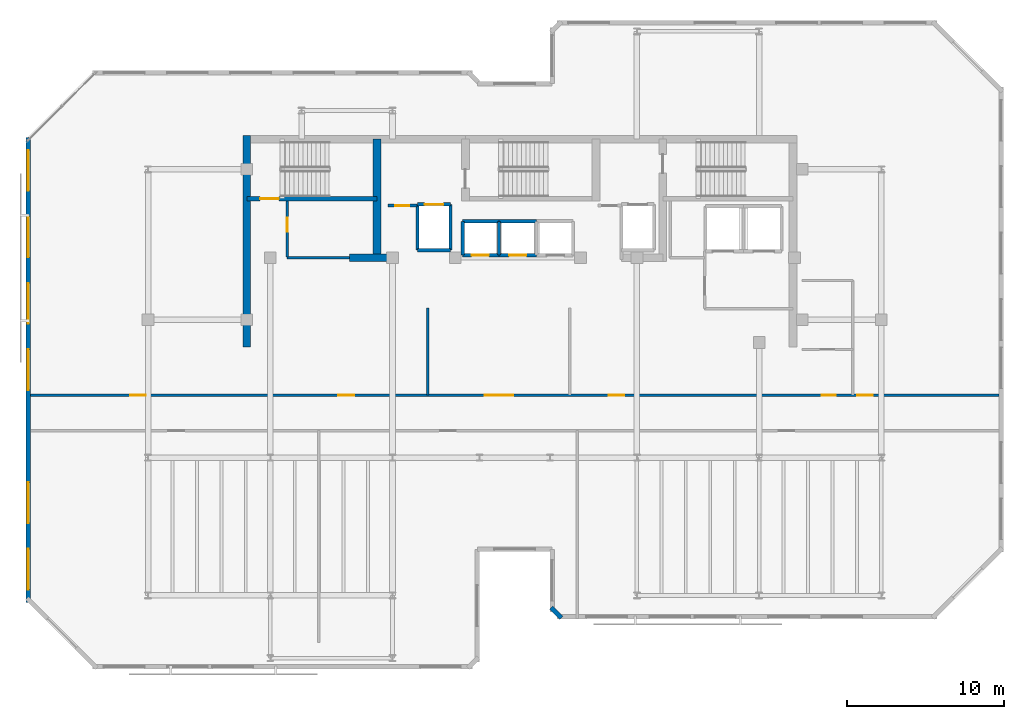
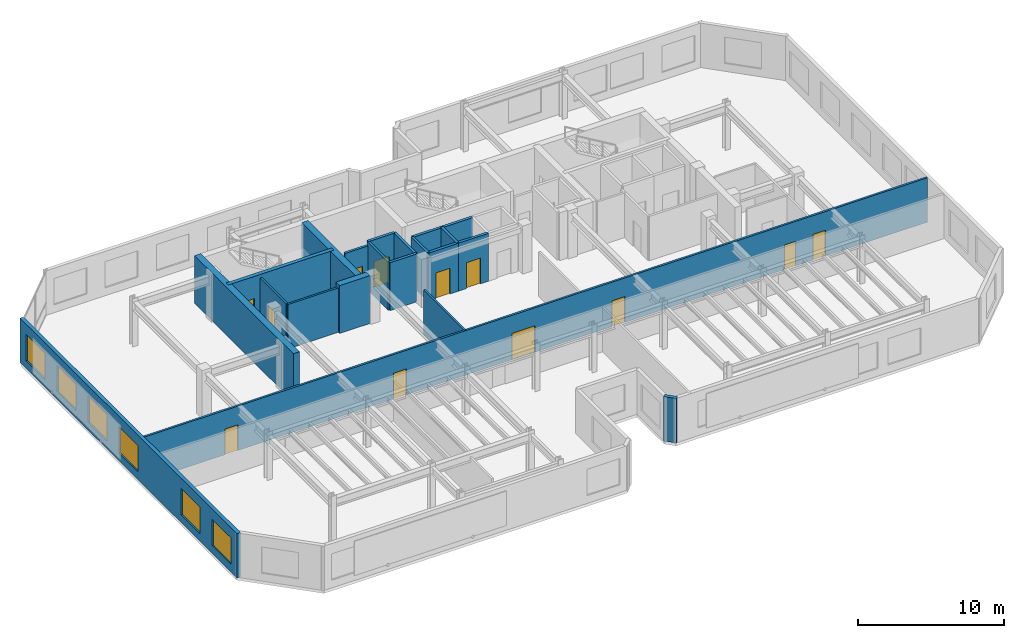
# One storey, part 4 of 9: 21 walls, 12 doors, 6 windows, 18 openings.
"""IFC4 building model written with IfcOpenShell, lengths in metres."""

from ifc_helpers import new_model, si_unit, direction, frame, frame_2d, origin, place, context, subcontext, project, spatial, rectangle, extrude, material, layer, layer_set, type_object, element, fill, save


model = new_model("IFC4")

# Units and contexts
model_context = context("Model", 3, precision=1e-05, world=origin(), true_north=direction((0.0, 1.0)))
body_context = subcontext(model_context, "Body", "Model", "MODEL_VIEW")
ifc_project = project(units=[si_unit("LENGTHUNIT", "METRE"), si_unit("AREAUNIT", "SQUARE_METRE"), si_unit("VOLUMEUNIT", "CUBIC_METRE"), si_unit("PLANEANGLEUNIT", "RADIAN"), si_unit("MASSUNIT", "GRAM", prefix="KILO")], contexts=[model_context])

# Site, building, storey
site_placement = place(None, origin())
site = spatial("IfcSite", under=ifc_project, at=site_placement, CompositionType="ELEMENT")
building_placement = place(site_placement, origin())
building = spatial("IfcBuilding", under=site, at=building_placement, Name="Kestravale Grand Hotel", CompositionType="ELEMENT")
storey_placement = place(building_placement, frame((0.0, 0.0, 293.39990234375)))
storey = spatial("IfcBuildingStorey", under=building, at=storey_placement, Name="L73", CompositionType="ELEMENT", Elevation=293.39990234375)

# Walls
ifc_material_1 = material(Name="Concrete f'c 50 MPa", Category="concrete")
ifc_layer_1 = layer(ifc_material_1, 0.5)
ifc_layer_set_1 = layer_set([ifc_layer_1], Name="EW-CORE-500")
wall_type_1 = type_object("IfcWallType", Name="EW-CORE-500", PredefinedType="SHEAR", material=ifc_layer_set_1)
wall_1_placement = place(storey_placement, frame((21.89990234375, 27.050048828125, 0.0), z_axis=(0.0, 0.0, 1.0), x_axis=(0.0, 1.0, 0.0)))
element("IfcWall", 1, at=wall_1_placement, inside=storey, type_object=wall_type_1, Name="L73 core shear wall W1", PredefinedType="SHEAR", context=body_context, shape_type="SweptSolid", body=[
    extrude(rectangle(XDim=13.52001953125, YDim=0.5, at=frame_2d((6.760009765625, 0.0))), origin(), (0.0, 0.0, 1.0), 4.0),
])
wall_2_placement = place(storey_placement, frame((28.449951171875, 32.75, 0.0), z_axis=(0.0, 0.0, 1.0), x_axis=(1.0, 0.0, 0.0)))
element("IfcWall", 2, at=wall_2_placement, inside=storey, type_object=wall_type_1, Name="L73 core shear wall S1", PredefinedType="SHEAR", context=body_context, shape_type="SweptSolid", body=[
    extrude(rectangle(XDim=2.400146484375, YDim=0.5, at=frame_2d((1.2001953125, 0.0))), origin(), (0.0, 0.0, 1.0), 4.0),
])
wall_3_placement = place(storey_placement, frame((30.219970703125, 33.0, 0.0), z_axis=(0.0, 0.0, 1.0), x_axis=(0.0, 1.0, 0.0)))
element("IfcWall", 3, at=wall_3_placement, inside=storey, type_object=wall_type_1, Name="L73 core shear wall X1", PredefinedType="SHEAR", context=body_context, shape_type="SweptSolid", body=[
    extrude(rectangle(XDim=7.320068359375, YDim=0.5, at=frame_2d((3.66015625, 0.0))), origin(), (0.0, 0.0, 1.0), 4.0),
])
ifc_material_2 = material(Name="Precast concrete f'c 45 MPa", Category="concrete")
ifc_layer_2 = layer(ifc_material_2, 0.280029296875)
ifc_layer_set_2 = layer_set([ifc_layer_2], Name="EW-PREC-280")
wall_type_2 = type_object("IfcWallType", Name="EW-PREC-280", PredefinedType="SOLIDWALL", material=ifc_layer_set_2)
wall_4_placement = place(storey_placement, frame((41.32080078125, 10.42724609375, 0.0), z_axis=(0.0, 0.0, 1.0), x_axis=(0.707106781187, -0.707106781187, 0.0)))
element("IfcWall", 4, at=wall_4_placement, inside=storey, type_object=wall_type_2, Name="L73 fluted precast facade wall 6", PredefinedType="SOLIDWALL", context=body_context, shape_type="SweptSolid", body=[
    extrude(rectangle(XDim=0.928466796875, YDim=0.280029296875, at=frame_2d((0.46435546875, 0.0))), origin(), (0.0, 0.0, 1.0), 3.710205078125),
])

# Wall, openings, windows
wall_5_placement = place(storey_placement, frame((7.93994140625, 40.43994140625, 0.0), z_axis=(0.0, 0.0, 1.0), x_axis=(0.0, -1.0, 0.0)))
wall_5 = element("IfcWall", 5, at=wall_5_placement, inside=storey, type_object=wall_type_2, Name="L73 fluted precast facade wall 19", PredefinedType="SOLIDWALL", context=body_context, shape_type="SweptSolid", body=[
    extrude(rectangle(XDim=29.679931640625, YDim=0.280029296875, at=frame_2d((14.83984375, 0.0))), origin(), (0.0, 0.0, 1.0), 3.710205078125),
])
opening_1_placement = place(wall_5_placement, frame((0.820068359375, 0.0, 0.64990234375)))
opening_1 = element("IfcOpeningElement", 6, at=opening_1_placement, cuts=wall_5, Name="Opening W-SKY-2600", PredefinedType="OPENING", context=body_context, shape_type="SweptSolid", body=[
    extrude(rectangle(XDim=2.60009765625, YDim=2.199951171875, at=frame_2d((1.300048828125, 1.10009765625))), frame((0.0, 0.14990234375, 0.0), z_axis=(0.0, -1.0, 0.0), x_axis=(1.0, 0.0, 0.0)), (0.0, 0.0, 1.0), 0.300048828125),
])
opening_2_placement = place(wall_5_placement, frame((5.06005859375, 0.0, 0.64990234375)))
opening_2 = element("IfcOpeningElement", 7, at=opening_2_placement, cuts=wall_5, Name="Opening W-SKY-2600", PredefinedType="OPENING", context=body_context, shape_type="SweptSolid", body=[
    extrude(rectangle(XDim=2.60009765625, YDim=2.199951171875, at=frame_2d((1.300048828125, 1.10009765625))), frame((0.0, 0.14990234375, 0.0), z_axis=(0.0, -1.0, 0.0), x_axis=(1.0, 0.0, 0.0)), (0.0, 0.0, 1.0), 0.300048828125),
])
opening_3_placement = place(wall_5_placement, frame((9.300048828125, 0.0, 0.64990234375)))
opening_3 = element("IfcOpeningElement", 8, at=opening_3_placement, cuts=wall_5, Name="Opening W-SKY-2600", PredefinedType="OPENING", context=body_context, shape_type="SweptSolid", body=[
    extrude(rectangle(XDim=2.60009765625, YDim=2.199951171875, at=frame_2d((1.300048828125, 1.10009765625))), frame((0.0, 0.14990234375, 0.0), z_axis=(0.0, -1.0, 0.0), x_axis=(1.0, 0.0, 0.0)), (0.0, 0.0, 1.0), 0.300048828125),
])
opening_4_placement = place(wall_5_placement, frame((13.5400390625, 0.0, 0.64990234375)))
opening_4 = element("IfcOpeningElement", 9, at=opening_4_placement, cuts=wall_5, Name="Opening W-SKY-2600", PredefinedType="OPENING", context=body_context, shape_type="SweptSolid", body=[
    extrude(rectangle(XDim=2.60009765625, YDim=2.199951171875, at=frame_2d((1.300048828125, 1.10009765625))), frame((0.0, 0.14990234375, 0.0), z_axis=(0.0, -1.0, 0.0), x_axis=(1.0, 0.0, 0.0)), (0.0, 0.0, 1.0), 0.300048828125),
])
opening_5_placement = place(wall_5_placement, frame((22.02001953125, 0.0, 0.64990234375)))
opening_5 = element("IfcOpeningElement", 10, at=opening_5_placement, cuts=wall_5, Name="Opening W-SKY-2600", PredefinedType="OPENING", context=body_context, shape_type="SweptSolid", body=[
    extrude(rectangle(XDim=2.60009765625, YDim=2.199951171875, at=frame_2d((1.300048828125, 1.10009765625))), frame((0.0, 0.14990234375, 0.0), z_axis=(0.0, -1.0, 0.0), x_axis=(1.0, 0.0, 0.0)), (0.0, 0.0, 1.0), 0.300048828125),
])
opening_6_placement = place(wall_5_placement, frame((26.260009765625, 0.0, 0.64990234375)))
opening_6 = element("IfcOpeningElement", 11, at=opening_6_placement, cuts=wall_5, Name="Opening W-SKY-2600", PredefinedType="OPENING", context=body_context, shape_type="SweptSolid", body=[
    extrude(rectangle(XDim=2.60009765625, YDim=2.199951171875, at=frame_2d((1.300048828125, 1.10009765625))), frame((0.0, 0.14990234375, 0.0), z_axis=(0.0, -1.0, 0.0), x_axis=(1.0, 0.0, 0.0)), (0.0, 0.0, 1.0), 0.300048828125),
])
ifc_material_3 = material(Name="Insulated low-E double glazing in aluminium frame", Category="aluminium")
window_type = type_object("IfcWindowType", Name="W-SKY-2600", PartitioningType="TRIPLE_PANEL_VERTICAL", PredefinedType="WINDOW", material=ifc_material_3)
window_1_placement = place(opening_1_placement, origin())
window_1 = element("IfcWindow", 12, at=window_1_placement, inside=storey, type_object=window_type, Name="L73 exterior window 19.1", OverallHeight=2.199951171875, OverallWidth=2.60009765625, PartitioningType="SINGLE_PANEL", PredefinedType="WINDOW", context=body_context, shape_type="SweptSolid", body=[
    extrude(rectangle(XDim=2.60009765625, YDim=2.199951171875, at=frame_2d((1.300048828125, 1.10009765625))), frame((0.0, 0.030029296875, 0.0), z_axis=(0.0, -1.0, 0.0), x_axis=(1.0, 0.0, 0.0)), (0.0, 0.0, 1.0), 0.06005859375),
])
fill(opening_1, window_1)
window_2_placement = place(opening_2_placement, origin())
window_2 = element("IfcWindow", 13, at=window_2_placement, inside=storey, type_object=window_type, Name="L73 exterior window 19.2", OverallHeight=2.199951171875, OverallWidth=2.60009765625, PartitioningType="SINGLE_PANEL", PredefinedType="WINDOW", context=body_context, shape_type="SweptSolid", body=[
    extrude(rectangle(XDim=2.60009765625, YDim=2.199951171875, at=frame_2d((1.300048828125, 1.10009765625))), frame((0.0, 0.030029296875, 0.0), z_axis=(0.0, -1.0, 0.0), x_axis=(1.0, 0.0, 0.0)), (0.0, 0.0, 1.0), 0.06005859375),
])
fill(opening_2, window_2)
window_3_placement = place(opening_3_placement, origin())
window_3 = element("IfcWindow", 14, at=window_3_placement, inside=storey, type_object=window_type, Name="L73 exterior window 19.3", OverallHeight=2.199951171875, OverallWidth=2.60009765625, PartitioningType="SINGLE_PANEL", PredefinedType="WINDOW", context=body_context, shape_type="SweptSolid", body=[
    extrude(rectangle(XDim=2.60009765625, YDim=2.199951171875, at=frame_2d((1.300048828125, 1.10009765625))), frame((0.0, 0.030029296875, 0.0), z_axis=(0.0, -1.0, 0.0), x_axis=(1.0, 0.0, 0.0)), (0.0, 0.0, 1.0), 0.06005859375),
])
fill(opening_3, window_3)
window_4_placement = place(opening_4_placement, origin())
window_4 = element("IfcWindow", 15, at=window_4_placement, inside=storey, type_object=window_type, Name="L73 exterior window 19.4", OverallHeight=2.199951171875, OverallWidth=2.60009765625, PartitioningType="SINGLE_PANEL", PredefinedType="WINDOW", context=body_context, shape_type="SweptSolid", body=[
    extrude(rectangle(XDim=2.60009765625, YDim=2.199951171875, at=frame_2d((1.300048828125, 1.10009765625))), frame((0.0, 0.030029296875, 0.0), z_axis=(0.0, -1.0, 0.0), x_axis=(1.0, 0.0, 0.0)), (0.0, 0.0, 1.0), 0.06005859375),
])
fill(opening_4, window_4)
window_5_placement = place(opening_5_placement, origin())
window_5 = element("IfcWindow", 16, at=window_5_placement, inside=storey, type_object=window_type, Name="L73 exterior window 19.5", OverallHeight=2.199951171875, OverallWidth=2.60009765625, PartitioningType="SINGLE_PANEL", PredefinedType="WINDOW", context=body_context, shape_type="SweptSolid", body=[
    extrude(rectangle(XDim=2.60009765625, YDim=2.199951171875, at=frame_2d((1.300048828125, 1.10009765625))), frame((0.0, 0.030029296875, 0.0), z_axis=(0.0, -1.0, 0.0), x_axis=(1.0, 0.0, 0.0)), (0.0, 0.0, 1.0), 0.06005859375),
])
fill(opening_5, window_5)
window_6_placement = place(opening_6_placement, origin())
window_6 = element("IfcWindow", 17, at=window_6_placement, inside=storey, type_object=window_type, Name="L73 exterior window 19.6", OverallHeight=2.199951171875, OverallWidth=2.60009765625, PartitioningType="SINGLE_PANEL", PredefinedType="WINDOW", context=body_context, shape_type="SweptSolid", body=[
    extrude(rectangle(XDim=2.60009765625, YDim=2.199951171875, at=frame_2d((1.300048828125, 1.10009765625))), frame((0.0, 0.030029296875, 0.0), z_axis=(0.0, -1.0, 0.0), x_axis=(1.0, 0.0, 0.0)), (0.0, 0.0, 1.0), 0.06005859375),
])
fill(opening_6, window_6)

# Wall, opening, door
ifc_material_4 = material(Name="Concrete f'c 45 MPa", Category="concrete")
ifc_layer_3 = layer(ifc_material_4, 0.300048828125)
ifc_layer_set_3 = layer_set([ifc_layer_3], Name="EW-STAIR-300")
wall_type_3 = type_object("IfcWallType", Name="EW-STAIR-300", PredefinedType="SHEAR", material=ifc_layer_set_3)
wall_6_placement = place(storey_placement, frame((21.89990234375, 36.52001953125, 0.0), z_axis=(0.0, 0.0, 1.0), x_axis=(1.0, 0.0, 0.0)))
wall_6 = element("IfcWall", 18, at=wall_6_placement, inside=storey, type_object=wall_type_3, Name="L73 stair enclosure shear wall SST1", PredefinedType="SHEAR", context=body_context, shape_type="SweptSolid", body=[
    extrude(rectangle(XDim=8.320068359375, YDim=0.300048828125, at=frame_2d((4.16015625, 0.0))), origin(), (0.0, 0.0, 1.0), 4.0),
])
opening_7_placement = place(wall_6_placement, frame((0.85009765625, 0.0, 0.0)))
opening_7 = element("IfcOpeningElement", 19, at=opening_7_placement, cuts=wall_6, Name="Opening D-ST-1200", PredefinedType="OPENING", context=body_context, shape_type="SweptSolid", body=[
    extrude(rectangle(XDim=1.199951171875, YDim=2.14990234375, at=frame_2d((0.60009765625, 1.074951171875))), frame((0.0, 0.159912109375, 0.0), z_axis=(0.0, -1.0, 0.0), x_axis=(1.0, 0.0, 0.0)), (0.0, 0.0, 1.0), 0.320068359375),
])
ifc_material_5 = material(Name="Galvanised 90-minute fire-rated steel stair door, wide leaf", Category="steel")
door_type_1 = type_object("IfcDoorType", Name="D-ST-1200", OperationType="NOTDEFINED", PredefinedType="DOOR", material=ifc_material_5)
door_1_placement = place(opening_7_placement, origin())
door_1 = element("IfcDoor", 20, at=door_1_placement, inside=storey, type_object=door_type_1, Name="L73 Stair ST-1 fire door", OperationType="SINGLE_SWING_RIGHT", OverallHeight=2.14990234375, OverallWidth=1.199951171875, PredefinedType="DOOR", context=body_context, shape_type="SweptSolid", body=[
    extrude(rectangle(XDim=1.199951171875, YDim=2.14990234375, at=frame_2d((0.60009765625, 1.074951171875))), frame((0.0, 0.02490234375, 0.0), z_axis=(0.0, -1.0, 0.0), x_axis=(1.0, 0.0, 0.0)), (0.0, 0.0, 1.0), 0.050048828125),
])
fill(opening_7, door_1)

ifc_material_6 = material(Name="Acoustic fire-rated gypsum board partition", Category="other")
ifc_layer_4 = layer(ifc_material_6, 0.159912109375)
ifc_layer_set_4 = layer_set([ifc_layer_4], Name="IW-CORR-160")
wall_type_4 = type_object("IfcWallType", Name="IW-CORR-160", PredefinedType="PARTITIONING", material=ifc_layer_set_4)
wall_7_placement = place(storey_placement, frame((24.47998046875, 32.800048828125, 0.0), z_axis=(0.0, 0.0, 1.0), x_axis=(0.0, 1.0, 0.0)))
wall_7 = element("IfcWall", 21, at=wall_7_placement, inside=storey, type_object=wall_type_4, Name="L73 west core vestibule wall", PredefinedType="PARTITIONING", context=body_context, shape_type="SweptSolid", body=[
    extrude(rectangle(XDim=3.570068359375, YDim=0.159912109375, at=frame_2d((1.78515625, 0.0))), origin(), (0.0, 0.0, 1.0), 3.710205078125),
])
opening_8_placement = place(wall_7_placement, frame((1.603515625, 0.0, 0.0)))
opening_8 = element("IfcOpeningElement", 22, at=opening_8_placement, cuts=wall_7, Name="Opening D-SH-900", PredefinedType="OPENING", context=body_context, shape_type="SweptSolid", body=[
    extrude(rectangle(XDim=0.89990234375, YDim=2.10009765625, at=frame_2d((0.449951171875, 1.050048828125))), frame((0.0, 0.08984375, 0.0), z_axis=(0.0, -1.0, 0.0), x_axis=(1.0, 0.0, 0.0)), (0.0, 0.0, 1.0), 0.179931640625),
])
ifc_material_7 = material(Name="Galvanised 90-minute shaft and service fire door", Category="steel")
door_type_2 = type_object("IfcDoorType", Name="D-SH-900", OperationType="NOTDEFINED", PredefinedType="DOOR", material=ifc_material_7)
door_2_placement = place(opening_8_placement, origin())
door_2 = element("IfcDoor", 23, at=door_2_placement, inside=storey, type_object=door_type_2, Name="D-L73-HK", OperationType="SINGLE_SWING_RIGHT", OverallHeight=2.10009765625, OverallWidth=0.89990234375, PredefinedType="DOOR", context=body_context, shape_type="SweptSolid", body=[
    extrude(rectangle(XDim=0.89990234375, YDim=2.10009765625, at=frame_2d((0.449951171875, 1.050048828125))), frame((0.0, 0.02490234375, 0.0), z_axis=(0.0, -1.0, 0.0), x_axis=(1.0, 0.0, 0.0)), (0.0, 0.0, 1.0), 0.050048828125),
])
fill(opening_8, door_2)

# Wall
wall_8_placement = place(storey_placement, frame((24.47998046875, 32.75, 0.0), z_axis=(0.0, 0.0, 1.0), x_axis=(1.0, 0.0, 0.0)))
element("IfcWall", 24, at=wall_8_placement, inside=storey, type_object=wall_type_4, Name="W-L73-CWS", PredefinedType="PARTITIONING", context=body_context, shape_type="SweptSolid", body=[
    extrude(rectangle(XDim=3.969970703125, YDim=0.159912109375, at=frame_2d((1.98486328125, 0.0))), origin(), (0.0, 0.0, 1.0), 3.710205078125),
])

# Wall, openings, doors
wall_9_placement = place(storey_placement, frame((8.10009765625, 23.97998046875, 0.0), z_axis=(0.0, 0.0, 1.0), x_axis=(1.0, 0.0, 0.0)))
wall_9 = element("IfcWall", 25, at=wall_9_placement, inside=storey, type_object=wall_type_4, Name="W-L73-SC-N", PredefinedType="PARTITIONING", context=body_context, shape_type="SweptSolid", body=[
    extrude(rectangle(XDim=61.7998046875, YDim=0.159912109375, at=frame_2d((30.89990234375, 0.0))), origin(), (0.0, 0.0, 1.0), 3.710205078125),
])
opening_9_placement = place(wall_9_placement, frame((29.0, 0.0, 0.0)))
opening_9 = element("IfcOpeningElement", 26, at=opening_9_placement, cuts=wall_9, Name="Opening D-CORR-1800", PredefinedType="OPENING", context=body_context, shape_type="SweptSolid", body=[
    extrude(rectangle(XDim=1.800048828125, YDim=2.199951171875, at=frame_2d((0.89990234375, 1.10009765625))), frame((0.0, 0.08984375, 0.0), z_axis=(0.0, -1.0, 0.0), x_axis=(1.0, 0.0, 0.0)), (0.0, 0.0, 1.0), 0.179931640625),
])
opening_10_placement = place(wall_9_placement, frame((19.64990234375, 0.0, 0.0)))
opening_10 = element("IfcOpeningElement", 27, at=opening_10_placement, cuts=wall_9, Name="Opening D-GUEST-1000", PredefinedType="OPENING", context=body_context, shape_type="SweptSolid", body=[
    extrude(rectangle(XDim=1.0, YDim=2.14990234375, at=frame_2d((0.5, 1.074951171875))), frame((0.0, 0.08984375, 0.0), z_axis=(0.0, -1.0, 0.0), x_axis=(1.0, 0.0, 0.0)), (0.0, 0.0, 1.0), 0.179931640625),
])
opening_11_placement = place(wall_9_placement, frame((36.89990234375, 0.0, 0.0)))
opening_11 = element("IfcOpeningElement", 28, at=opening_11_placement, cuts=wall_9, Name="Opening D-GUEST-1000", PredefinedType="OPENING", context=body_context, shape_type="SweptSolid", body=[
    extrude(rectangle(XDim=1.0, YDim=2.14990234375, at=frame_2d((0.5, 1.074951171875))), frame((0.0, 0.08984375, 0.0), z_axis=(0.0, -1.0, 0.0), x_axis=(1.0, 0.0, 0.0)), (0.0, 0.0, 1.0), 0.179931640625),
])
opening_12_placement = place(wall_9_placement, frame((6.35009765625, 0.0, 0.0)))
opening_12 = element("IfcOpeningElement", 29, at=opening_12_placement, cuts=wall_9, Name="Opening D-GUEST-1000", PredefinedType="OPENING", context=body_context, shape_type="SweptSolid", body=[
    extrude(rectangle(XDim=1.0, YDim=2.14990234375, at=frame_2d((0.5, 1.074951171875))), frame((0.0, 0.08984375, 0.0), z_axis=(0.0, -1.0, 0.0), x_axis=(1.0, 0.0, 0.0)), (0.0, 0.0, 1.0), 0.179931640625),
])
opening_13_placement = place(wall_9_placement, frame((50.510009765625, 0.0, 0.0)))
opening_13 = element("IfcOpeningElement", 30, at=opening_13_placement, cuts=wall_9, Name="Opening D-BATH-880", PredefinedType="OPENING", context=body_context, shape_type="SweptSolid", body=[
    extrude(rectangle(XDim=0.8798828125, YDim=2.050048828125, at=frame_2d((0.43994140625, 1.02490234375))), frame((0.0, 0.08984375, 0.0), z_axis=(0.0, -1.0, 0.0), x_axis=(1.0, 0.0, 0.0)), (0.0, 0.0, 1.0), 0.179931640625),
])
opening_14_placement = place(wall_9_placement, frame((52.75, 0.0, 0.0)))
opening_14 = element("IfcOpeningElement", 31, at=opening_14_placement, cuts=wall_9, Name="Opening D-GUEST-1000", PredefinedType="OPENING", context=body_context, shape_type="SweptSolid", body=[
    extrude(rectangle(XDim=1.0, YDim=2.14990234375, at=frame_2d((0.5, 1.074951171875))), frame((0.0, 0.08984375, 0.0), z_axis=(0.0, -1.0, 0.0), x_axis=(1.0, 0.0, 0.0)), (0.0, 0.0, 1.0), 0.179931640625),
])
ifc_material_8 = material(Name="Moisture-sealed walnut en-suite bathroom door", Category="wood")
door_type_3 = type_object("IfcDoorType", Name="D-BATH-880", OperationType="NOTDEFINED", PredefinedType="DOOR", material=ifc_material_8)
door_3_placement = place(opening_13_placement, origin())
door_3 = element("IfcDoor", 32, at=door_3_placement, inside=storey, type_object=door_type_3, Name="D-L73-WCA", OperationType="SINGLE_SWING_LEFT", OverallHeight=2.050048828125, OverallWidth=0.8798828125, PredefinedType="DOOR", context=body_context, shape_type="SweptSolid", body=[
    extrude(rectangle(XDim=0.8798828125, YDim=2.050048828125, at=frame_2d((0.43994140625, 1.02490234375))), frame((0.0, 0.02490234375, 0.0), z_axis=(0.0, -1.0, 0.0), x_axis=(1.0, 0.0, 0.0)), (0.0, 0.0, 1.0), 0.050048828125),
])
fill(opening_13, door_3)
ifc_material_9 = material(Name="Double-leaf glazed bronze acoustic corridor fire door", Category="aluminium")
door_type_4 = type_object("IfcDoorType", Name="D-CORR-1800", OperationType="NOTDEFINED", PredefinedType="DOOR", material=ifc_material_9)
door_4_placement = place(opening_9_placement, origin())
door_4 = element("IfcDoor", 33, at=door_4_placement, inside=storey, type_object=door_type_4, Name="D-L73-LCONN", OperationType="DOUBLE_DOOR_SINGLE_SWING", OverallHeight=2.199951171875, OverallWidth=1.800048828125, PredefinedType="DOOR", context=body_context, shape_type="SweptSolid", body=[
    extrude(rectangle(XDim=1.800048828125, YDim=2.199951171875, at=frame_2d((0.89990234375, 1.10009765625))), frame((0.0, 0.02490234375, 0.0), z_axis=(0.0, -1.0, 0.0), x_axis=(1.0, 0.0, 0.0)), (0.0, 0.0, 1.0), 0.050048828125),
])
fill(opening_9, door_4)
ifc_material_10 = material(Name="Accessible walnut veneer hotel entrance fire door", Category="wood")
door_type_5 = type_object("IfcDoorType", Name="D-GUEST-1000", OperationType="NOTDEFINED", PredefinedType="DOOR", material=ifc_material_10)
door_5_placement = place(opening_10_placement, origin())
door_5 = element("IfcDoor", 34, at=door_5_placement, inside=storey, type_object=door_type_5, Name="D-L73-RECL-W", OperationType="SINGLE_SWING_LEFT", OverallHeight=2.14990234375, OverallWidth=1.0, PredefinedType="DOOR", context=body_context, shape_type="SweptSolid", body=[
    extrude(rectangle(XDim=1.0, YDim=2.14990234375, at=frame_2d((0.5, 1.074951171875))), frame((0.0, 0.02490234375, 0.0), z_axis=(0.0, -1.0, 0.0), x_axis=(1.0, 0.0, 0.0)), (0.0, 0.0, 1.0), 0.050048828125),
])
fill(opening_10, door_5)
door_6_placement = place(opening_11_placement, origin())
door_6 = element("IfcDoor", 35, at=door_6_placement, inside=storey, type_object=door_type_5, Name="D-L73-RECL-E", OperationType="SINGLE_SWING_RIGHT", OverallHeight=2.14990234375, OverallWidth=1.0, PredefinedType="DOOR", context=body_context, shape_type="SweptSolid", body=[
    extrude(rectangle(XDim=1.0, YDim=2.14990234375, at=frame_2d((0.5, 1.074951171875))), frame((0.0, 0.02490234375, 0.0), z_axis=(0.0, -1.0, 0.0), x_axis=(1.0, 0.0, 0.0)), (0.0, 0.0, 1.0), 0.050048828125),
])
fill(opening_11, door_6)
door_7_placement = place(opening_12_placement, origin())
door_7 = element("IfcDoor", 36, at=door_7_placement, inside=storey, type_object=door_type_5, Name="D-L73-NW", OperationType="SINGLE_SWING_RIGHT", OverallHeight=2.14990234375, OverallWidth=1.0, PredefinedType="DOOR", context=body_context, shape_type="SweptSolid", body=[
    extrude(rectangle(XDim=1.0, YDim=2.14990234375, at=frame_2d((0.5, 1.074951171875))), frame((0.0, 0.02490234375, 0.0), z_axis=(0.0, -1.0, 0.0), x_axis=(1.0, 0.0, 0.0)), (0.0, 0.0, 1.0), 0.050048828125),
])
fill(opening_12, door_7)
door_8_placement = place(opening_14_placement, origin())
door_8 = element("IfcDoor", 37, at=door_8_placement, inside=storey, type_object=door_type_5, Name="L73 NE Gallery Door", OperationType="SINGLE_SWING_LEFT", OverallHeight=2.14990234375, OverallWidth=1.0, PredefinedType="DOOR", context=body_context, shape_type="SweptSolid", body=[
    extrude(rectangle(XDim=1.0, YDim=2.14990234375, at=frame_2d((0.5, 1.074951171875))), frame((0.0, 0.02490234375, 0.0), z_axis=(0.0, -1.0, 0.0), x_axis=(1.0, 0.0, 0.0)), (0.0, 0.0, 1.0), 0.050048828125),
])
fill(opening_14, door_8)

# Wall, opening, door
ifc_material_11 = material(Name="Fire-rated gypsum board on steel studs with mineral wool", Category="steel")
ifc_layer_5 = layer(ifc_material_11, 0.179931640625)
ifc_layer_set_5 = layer_set([ifc_layer_5], Name="IW-FSAE-180")
wall_type_5 = type_object("IfcWallType", Name="IW-FSAE-180", PredefinedType="PARTITIONING", material=ifc_layer_set_5)
wall_10_placement = place(storey_placement, frame((30.89990234375, 36.080078125, 0.0), z_axis=(0.0, 0.0, 1.0), x_axis=(1.0, 0.0, 0.0)))
wall_10 = element("IfcWall", 38, at=wall_10_placement, inside=storey, type_object=wall_type_5, Name="L73 FSAE Lobby 1 smoke barrier", PredefinedType="PARTITIONING", context=body_context, shape_type="SweptSolid", body=[
    extrude(rectangle(XDim=1.85009765625, YDim=0.179931640625, at=frame_2d((0.925048828125, 0.0))), origin(), (0.0, 0.0, 1.0), 3.710205078125),
])
opening_15_placement = place(wall_10_placement, frame((0.47998046875, 0.0, 0.0)))
opening_15 = element("IfcOpeningElement", 39, at=opening_15_placement, cuts=wall_10, Name="Opening D-FSAE-1000", PredefinedType="OPENING", context=body_context, shape_type="SweptSolid", body=[
    extrude(rectangle(XDim=0.89990234375, YDim=2.14990234375, at=frame_2d((0.449951171875, 1.074951171875))), frame((0.0, 0.099853515625, 0.0), z_axis=(0.0, -1.0, 0.0), x_axis=(1.0, 0.0, 0.0)), (0.0, 0.0, 1.0), 0.199951171875),
])
ifc_material_12 = material(Name="Smoke-gasketed FSAE lobby fire door", Category="steel")
door_type_6 = type_object("IfcDoorType", Name="D-FSAE-1000", OperationType="NOTDEFINED", PredefinedType="DOOR", material=ifc_material_12)
door_9_placement = place(opening_15_placement, origin())
door_9 = element("IfcDoor", 40, at=door_9_placement, inside=storey, type_object=door_type_6, Name="L73 FSAE Lobby 1 fire door", OperationType="SINGLE_SWING_RIGHT", OverallHeight=2.14990234375, OverallWidth=0.89990234375, PredefinedType="DOOR", context=body_context, shape_type="SweptSolid", body=[
    extrude(rectangle(XDim=0.89990234375, YDim=2.14990234375, at=frame_2d((0.449951171875, 1.074951171875))), frame((0.0, 0.02490234375, 0.0), z_axis=(0.0, -1.0, 0.0), x_axis=(1.0, 0.0, 0.0)), (0.0, 0.0, 1.0), 0.050048828125),
])
fill(opening_15, door_9)

# Walls
ifc_material_13 = material(Name="Concrete f'c 45 MPa", Category="concrete")
ifc_layer_6 = layer(ifc_material_13, 0.199951171875)
ifc_layer_set_6 = layer_set([ifc_layer_6], Name="IW-SHAFT-200")
wall_type_6 = type_object("IfcWallType", Name="IW-SHAFT-200", PredefinedType="SHEAR", material=ifc_layer_set_6)
for number, where, z_axis, x_axis, name in (
    (41, (35.679931640625, 32.919921875, 0.0), (0.0, 0.0, 1.0), (0.0, 1.0, 0.0), "L73 PL-X1 west shaft wall"),
    (42, (38.0, 32.919921875, 0.0), (0.0, 0.0, 1.0), (0.0, 1.0, 0.0), "L73 PL-X2 west shaft wall"),
):
    element("IfcWall", number, at=place(storey_placement, frame(where, z_axis=z_axis, x_axis=x_axis)), inside=storey, type_object=wall_type_6, Name=name, PredefinedType="SHEAR", context=body_context, shape_type="SweptSolid", body=[
        extrude(rectangle(XDim=2.16015625, YDim=0.199951171875, at=frame_2d((1.080078125, 0.0))), origin(), (0.0, 0.0, 1.0), 4.0),
    ])
for number, where, z_axis, x_axis, name in (
    (43, (32.804931640625, 33.2451171875, 0.0), (0.0, 0.0, 1.0), (0.0, 1.0, 0.0), "L73 FL-1 west shaft wall"),
    (44, (34.89501953125, 33.2451171875, 0.0), (0.0, 0.0, 1.0), (0.0, 1.0, 0.0), "L73 FL-1 east shaft wall"),
):
    element("IfcWall", number, at=place(storey_placement, frame(where, z_axis=z_axis, x_axis=x_axis)), inside=storey, type_object=wall_type_6, Name=name, PredefinedType="SHEAR", context=body_context, shape_type="SweptSolid", body=[
        extrude(rectangle(XDim=2.909912109375, YDim=0.199951171875, at=frame_2d((1.455078125, 0.0))), origin(), (0.0, 0.0, 1.0), 4.0),
    ])
ifc_material_14 = material(Name="Concrete f'c 45 MPa", Category="concrete")
ifc_layer_7 = layer(ifc_material_14, 0.219970703125)
ifc_layer_set_7 = layer_set([ifc_layer_7], Name="IW-SHAFT-220")
wall_type_7 = type_object("IfcWallType", Name="IW-SHAFT-220", PredefinedType="SHEAR", material=ifc_layer_set_7)
wall_11_placement = place(storey_placement, frame((35.679931640625, 35.080078125, 0.0), z_axis=(0.0, 0.0, 1.0), x_axis=(1.0, 0.0, 0.0)))
element("IfcWall", 45, at=wall_11_placement, inside=storey, type_object=wall_type_7, Name="L73 PL-X1 north shaft wall", PredefinedType="SHEAR", context=body_context, shape_type="SweptSolid", body=[
    extrude(rectangle(XDim=2.320068359375, YDim=0.219970703125, at=frame_2d((1.16015625, 0.0))), origin(), (0.0, 0.0, 1.0), 4.0),
])

# Wall, opening, door
wall_12_placement = place(storey_placement, frame((35.679931640625, 32.919921875, 0.0), z_axis=(0.0, 0.0, 1.0), x_axis=(1.0, 0.0, 0.0)))
wall_12 = element("IfcWall", 46, at=wall_12_placement, inside=storey, type_object=wall_type_7, Name="L73 PL-X1 south shaft wall", PredefinedType="SHEAR", context=body_context, shape_type="SweptSolid", body=[
    extrude(rectangle(XDim=2.320068359375, YDim=0.219970703125, at=frame_2d((1.16015625, 0.0))), origin(), (0.0, 0.0, 1.0), 4.0),
])
opening_16_placement = place(wall_12_placement, frame((0.570068359375, 0.0, 0.0)))
opening_16 = element("IfcOpeningElement", 47, at=opening_16_placement, cuts=wall_12, Name="Opening LD-PAX-1100", PredefinedType="OPENING", context=body_context, shape_type="SweptSolid", body=[
    extrude(rectangle(XDim=1.10009765625, YDim=2.14990234375, at=frame_2d((0.550048828125, 1.074951171875))), frame((0.0, 0.119873046875, 0.0), z_axis=(0.0, -1.0, 0.0), x_axis=(1.0, 0.0, 0.0)), (0.0, 0.0, 1.0), 0.239990234375),
])
ifc_material_15 = material(Name="Champagne-bronze center-opening sliding elevator landing door", Category="steel")
door_type_7 = type_object("IfcDoorType", Name="LD-PAX-1100", OperationType="NOTDEFINED", PredefinedType="DOOR", material=ifc_material_15)
door_10_placement = place(opening_16_placement, origin())
door_10 = element("IfcDoor", 48, at=door_10_placement, inside=storey, type_object=door_type_7, Name="L73 PL-X1 elevator landing sliding door", OperationType="DOUBLE_DOOR_SLIDING", OverallHeight=2.14990234375, OverallWidth=1.10009765625, PredefinedType="DOOR", context=body_context, shape_type="SweptSolid", body=[
    extrude(rectangle(XDim=1.10009765625, YDim=2.14990234375, at=frame_2d((0.550048828125, 1.074951171875))), frame((0.0, 0.02490234375, 0.0), z_axis=(0.0, -1.0, 0.0), x_axis=(1.0, 0.0, 0.0)), (0.0, 0.0, 1.0), 0.050048828125),
])
fill(opening_16, door_10)

# Wall
wall_13_placement = place(storey_placement, frame((38.0, 35.080078125, 0.0), z_axis=(0.0, 0.0, 1.0), x_axis=(1.0, 0.0, 0.0)))
element("IfcWall", 49, at=wall_13_placement, inside=storey, type_object=wall_type_7, Name="L73 PL-X2 north shaft wall", PredefinedType="SHEAR", context=body_context, shape_type="SweptSolid", body=[
    extrude(rectangle(XDim=2.39990234375, YDim=0.219970703125, at=frame_2d((1.199951171875, 0.0))), origin(), (0.0, 0.0, 1.0), 4.0),
])

# Wall, opening, door
wall_14_placement = place(storey_placement, frame((38.0, 32.919921875, 0.0), z_axis=(0.0, 0.0, 1.0), x_axis=(1.0, 0.0, 0.0)))
wall_14 = element("IfcWall", 50, at=wall_14_placement, inside=storey, type_object=wall_type_7, Name="L73 PL-X2 south shaft wall", PredefinedType="SHEAR", context=body_context, shape_type="SweptSolid", body=[
    extrude(rectangle(XDim=2.39990234375, YDim=0.219970703125, at=frame_2d((1.199951171875, 0.0))), origin(), (0.0, 0.0, 1.0), 4.0),
])
opening_17_placement = place(wall_14_placement, frame((0.64990234375, 0.0, 0.0)))
opening_17 = element("IfcOpeningElement", 51, at=opening_17_placement, cuts=wall_14, Name="Opening LD-PAX-1100", PredefinedType="OPENING", context=body_context, shape_type="SweptSolid", body=[
    extrude(rectangle(XDim=1.10009765625, YDim=2.14990234375, at=frame_2d((0.550048828125, 1.074951171875))), frame((0.0, 0.119873046875, 0.0), z_axis=(0.0, -1.0, 0.0), x_axis=(1.0, 0.0, 0.0)), (0.0, 0.0, 1.0), 0.239990234375),
])
door_11_placement = place(opening_17_placement, origin())
door_11 = element("IfcDoor", 52, at=door_11_placement, inside=storey, type_object=door_type_7, Name="L73 PL-X2 elevator landing sliding door", OperationType="DOUBLE_DOOR_SLIDING", OverallHeight=2.14990234375, OverallWidth=1.10009765625, PredefinedType="DOOR", context=body_context, shape_type="SweptSolid", body=[
    extrude(rectangle(XDim=1.10009765625, YDim=2.14990234375, at=frame_2d((0.550048828125, 1.074951171875))), frame((0.0, 0.02490234375, 0.0), z_axis=(0.0, -1.0, 0.0), x_axis=(1.0, 0.0, 0.0)), (0.0, 0.0, 1.0), 0.050048828125),
])
fill(opening_17, door_11)

wall_15_placement = place(storey_placement, frame((32.804931640625, 36.155029296875, 0.0), z_axis=(0.0, 0.0, 1.0), x_axis=(1.0, 0.0, 0.0)))
wall_15 = element("IfcWall", 53, at=wall_15_placement, inside=storey, type_object=wall_type_7, Name="L73 FL-1 north shaft wall", PredefinedType="SHEAR", context=body_context, shape_type="SweptSolid", body=[
    extrude(rectangle(XDim=2.090087890625, YDim=0.219970703125, at=frame_2d((1.044921875, 0.0))), origin(), (0.0, 0.0, 1.0), 4.0),
])
opening_18_placement = place(wall_15_placement, frame((0.445068359375, 0.0, 0.0)))
opening_18 = element("IfcOpeningElement", 54, at=opening_18_placement, cuts=wall_15, Name="Opening LD-FSAE-1200", PredefinedType="OPENING", context=body_context, shape_type="SweptSolid", body=[
    extrude(rectangle(XDim=1.199951171875, YDim=2.14990234375, at=frame_2d((0.60009765625, 1.074951171875))), frame((0.0, 0.119873046875, 0.0), z_axis=(0.0, -1.0, 0.0), x_axis=(1.0, 0.0, 0.0)), (0.0, 0.0, 1.0), 0.239990234375),
])
ifc_material_16 = material(Name="Stainless fire-service sliding elevator landing door", Category="steel")
door_type_8 = type_object("IfcDoorType", Name="LD-FSAE-1200", OperationType="NOTDEFINED", PredefinedType="DOOR", material=ifc_material_16)
door_12_placement = place(opening_18_placement, origin())
door_12 = element("IfcDoor", 55, at=door_12_placement, inside=storey, type_object=door_type_8, Name="L73 FL-1 elevator landing sliding door", OperationType="DOUBLE_DOOR_SLIDING", OverallHeight=2.14990234375, OverallWidth=1.199951171875, PredefinedType="DOOR", context=body_context, shape_type="SweptSolid", body=[
    extrude(rectangle(XDim=1.199951171875, YDim=2.14990234375, at=frame_2d((0.60009765625, 1.074951171875))), frame((0.0, 0.02490234375, 0.0), z_axis=(0.0, -1.0, 0.0), x_axis=(1.0, 0.0, 0.0)), (0.0, 0.0, 1.0), 0.050048828125),
])
fill(opening_18, door_12)

# Walls
wall_16_placement = place(storey_placement, frame((32.804931640625, 33.2451171875, 0.0), z_axis=(0.0, 0.0, 1.0), x_axis=(1.0, 0.0, 0.0)))
element("IfcWall", 56, at=wall_16_placement, inside=storey, type_object=wall_type_7, Name="L73 FL-1 south shaft wall", PredefinedType="SHEAR", context=body_context, shape_type="SweptSolid", body=[
    extrude(rectangle(XDim=2.090087890625, YDim=0.219970703125, at=frame_2d((1.044921875, 0.0))), origin(), (0.0, 0.0, 1.0), 4.0),
])
ifc_material_17 = material(Name="Double-stud STC 52 acoustic demising partition", Category="other")
ifc_layer_8 = layer(ifc_material_17, 0.14990234375)
ifc_layer_set_8 = layer_set([ifc_layer_8], Name="IW-UNIT-150")
wall_type_8 = type_object("IfcWallType", Name="IW-UNIT-150", PredefinedType="PARTITIONING", material=ifc_layer_set_8)
wall_17_placement = place(storey_placement, frame((33.449951171875, 23.97998046875, 0.0), z_axis=(0.0, 0.0, 1.0), x_axis=(0.0, 1.0, 0.0)))
element("IfcWall", 57, at=wall_17_placement, inside=storey, type_object=wall_type_8, Name="W-L73-RCLW-E", PredefinedType="PARTITIONING", context=body_context, shape_type="SweptSolid", body=[
    extrude(rectangle(XDim=5.570068359375, YDim=0.14990234375, at=frame_2d((2.78515625, 0.0))), origin(), (0.0, 0.0, 1.0), 3.710205078125),
])

save(model, "model.ifc")
